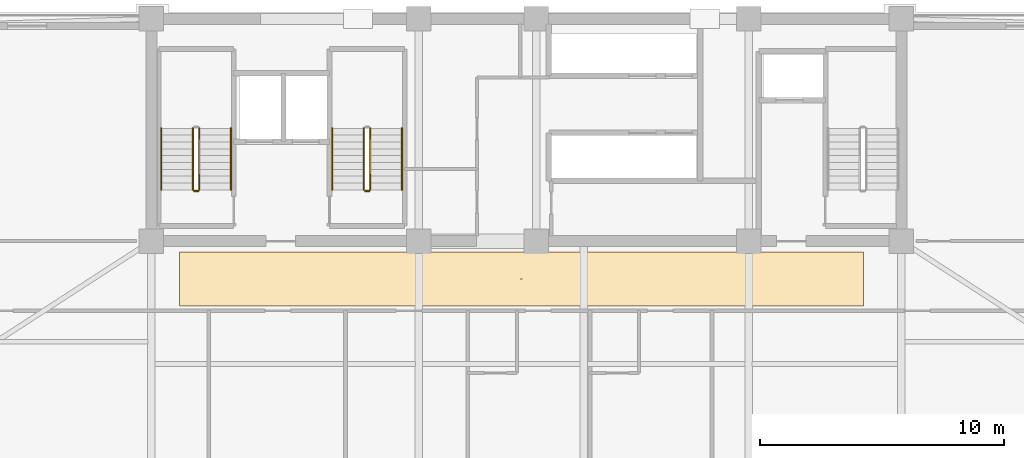
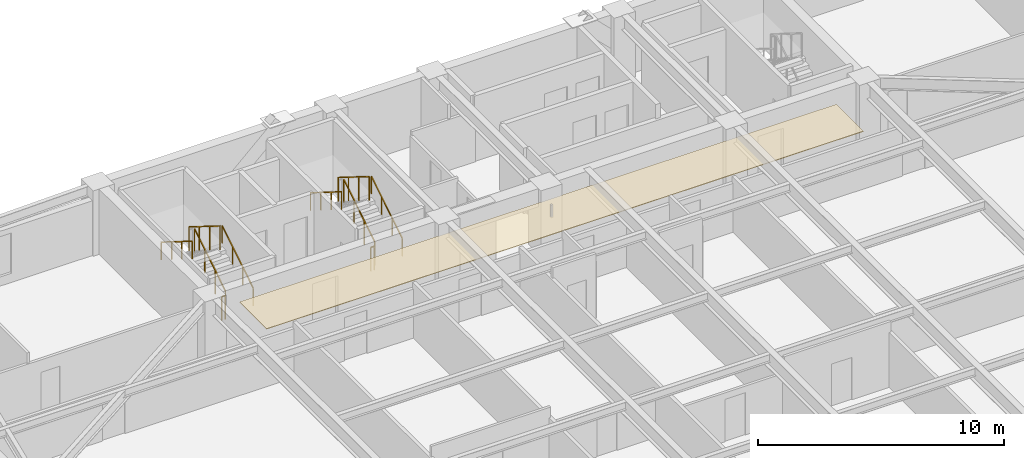
# One storey, part 14 of 17: 10 railings, 1 covering.
"""IFC4 building model written with IfcOpenShell, lengths in metres."""

from ifc_helpers import new_model, si_unit, direction, frame, origin, origin_2d, place, context, subcontext, project, spatial, polyline, rectangle, outline, extrude, material, layer, layer_set, type_object, element, save


model = new_model("IFC4")

# Units and contexts
model_context = context("Model", 3, precision=1e-05, world=origin(), true_north=direction((0.0, 1.0)))
body_context = subcontext(model_context, "Body", "Model", "MODEL_VIEW")
ifc_project = project(units=[si_unit("LENGTHUNIT", "METRE"), si_unit("AREAUNIT", "SQUARE_METRE"), si_unit("VOLUMEUNIT", "CUBIC_METRE"), si_unit("PLANEANGLEUNIT", "RADIAN"), si_unit("MASSUNIT", "GRAM", prefix="KILO")], contexts=[model_context])

# Site, building, storey
site_placement = place(None, origin())
site = spatial("IfcSite", under=ifc_project, at=site_placement, CompositionType="ELEMENT")
building_placement = place(site_placement, origin())
building = spatial("IfcBuilding", under=site, at=building_placement, Name="Giltprow Tower", CompositionType="ELEMENT")
storey_placement = place(building_placement, frame((0.0, 0.0, 216.699951171875)))
storey = spatial("IfcBuildingStorey", under=building, at=storey_placement, Name="L55", CompositionType="ELEMENT", Elevation=216.699951171875)

# Covering
ifc_material_1 = material(Name="Painted gypsum board", Category="gypsum")
ifc_layer = layer(ifc_material_1, 0.030029296875, Name="Painted gypsum board")
ifc_layer_set = layer_set([ifc_layer], Name="Painted gypsum board")
covering_type = type_object("IfcCoveringType", Name="COV-CLG-GYPSUM", PredefinedType="CEILING", material=ifc_layer_set)
covering_placement = place(storey_placement, frame((0.0, 0.0, 2.6201171875)))
element("IfcCovering", 1, at=covering_placement, inside=storey, type_object=covering_type, Name="L55 Hotel Corridor Gypsum Ceiling", PredefinedType="CEILING", context=body_context, shape_type="SweptSolid", body=[
    extrude(outline(polyline([(21.0, 34.800048828125), (49.0, 34.800048828125), (49.0, 37.0), (21.0, 37.0), (21.0, 34.800048828125)])), origin(), (0.0, 0.0, 1.0), 0.030029296875),
])

# Railings
ifc_material_2 = material(Name="Anodized bronze", Category="metal")
railing_type_1 = type_object("IfcRailingType", Name="RAIL-STAIR-GUARD-1200", PredefinedType="GUARDRAIL", material=ifc_material_2)
railing_1_placement = place(storey_placement, frame((21.81005859375, 39.550048828125, 0.175048828125)))
element("IfcRailing", 2, at=railing_1_placement, inside=storey, type_object=railing_type_1, Name="L55 ST-1 stair guard 1", PredefinedType="GUARDRAIL", context=body_context, shape_type="SweptSolid", body=[
    extrude(rectangle(XDim=0.048095703125, YDim=0.048095703125, at=origin_2d()), frame((0.0, 0.0, 1.17578125), z_axis=(0.0, 0.848007534815, 0.529984170421), x_axis=(-1.0, 0.0, 0.0)), (0.0, 0.0, 1.0), 2.9716796875),
    extrude(rectangle(XDim=0.0419921875, YDim=0.0419921875, at=origin_2d()), origin(), (0.0, 0.0, 1.0), 1.15185546875),
    extrude(rectangle(XDim=0.0419921875, YDim=0.0419921875, at=origin_2d()), frame((0.0, 0.840087890625, 0.52490234375)), (0.0, 0.0, 1.0), 1.15185546875),
    extrude(rectangle(XDim=0.0419921875, YDim=0.0419921875, at=origin_2d()), frame((0.0, 1.679931640625, 1.050048828125)), (0.0, 0.0, 1.0), 1.15185546875),
    extrude(rectangle(XDim=0.0419921875, YDim=0.0419921875, at=origin_2d()), frame((0.0, 2.52001953125, 1.574951171875)), (0.0, 0.0, 1.0), 1.15185546875),
])
railing_2_placement = place(storey_placement, frame((21.550048828125, 42.070068359375, 1.925048828125)))
element("IfcRailing", 3, at=railing_2_placement, inside=storey, type_object=railing_type_1, Name="L55 ST-1 stair guard 3", PredefinedType="GUARDRAIL", context=body_context, shape_type="SweptSolid", body=[
    extrude(rectangle(XDim=0.048095703125, YDim=0.048095703125, at=origin_2d()), frame((0.0, 0.0, 1.17578125), z_axis=(0.0, -0.848007534815, 0.529984170421), x_axis=(1.0, 0.0, 0.0)), (0.0, 0.0, 1.0), 2.9716796875),
    extrude(rectangle(XDim=0.0419921875, YDim=0.0419921875, at=origin_2d()), origin(), (0.0, 0.0, 1.0), 1.15185546875),
    extrude(rectangle(XDim=0.0419921875, YDim=0.0419921875, at=origin_2d()), frame((0.0, -0.840087890625, 0.52490234375)), (0.0, 0.0, 1.0), 1.15185546875),
    extrude(rectangle(XDim=0.0419921875, YDim=0.0419921875, at=origin_2d()), frame((0.0, -1.679931640625, 1.050048828125)), (0.0, 0.0, 1.0), 1.15185546875),
    extrude(rectangle(XDim=0.0419921875, YDim=0.0419921875, at=origin_2d()), frame((0.0, -2.52001953125, 1.574951171875)), (0.0, 0.0, 1.0), 1.15185546875),
])
railing_3_placement = place(storey_placement, frame((21.760009765625, 39.5, 0.0)))
element("IfcRailing", 4, at=railing_3_placement, inside=storey, type_object=railing_type_1, Name="L55 ST-1 stair guard 4", PredefinedType="GUARDRAIL", context=body_context, shape_type="SweptSolid", body=[
    extrude(rectangle(XDim=0.048095703125, YDim=0.048095703125, at=origin_2d()), frame((0.0, 0.0, 1.17578125), z_axis=(-1.0, 0.0, 0.0), x_axis=(0.0, -1.0, 0.0)), (0.0, 0.0, 1.0), 0.159912109375),
    extrude(rectangle(XDim=0.0419921875, YDim=0.0419921875, at=origin_2d()), origin(), (0.0, 0.0, 1.0), 1.15185546875),
    extrude(rectangle(XDim=0.0419921875, YDim=0.0419921875, at=origin_2d()), frame((-0.159912109375, 0.0, 0.0)), (0.0, 0.0, 1.0), 1.15185546875),
])
railing_4_placement = place(storey_placement, frame((28.81005859375, 39.550048828125, 0.175048828125)))
element("IfcRailing", 5, at=railing_4_placement, inside=storey, type_object=railing_type_1, Name="L55 ST-2 stair guard 1", PredefinedType="GUARDRAIL", context=body_context, shape_type="SweptSolid", body=[
    extrude(rectangle(XDim=0.048095703125, YDim=0.048095703125, at=origin_2d()), frame((0.0, 0.0, 1.17578125), z_axis=(0.0, 0.848007534815, 0.529984170421), x_axis=(-1.0, 0.0, 0.0)), (0.0, 0.0, 1.0), 2.9716796875),
    extrude(rectangle(XDim=0.0419921875, YDim=0.0419921875, at=origin_2d()), origin(), (0.0, 0.0, 1.0), 1.15185546875),
    extrude(rectangle(XDim=0.0419921875, YDim=0.0419921875, at=origin_2d()), frame((0.0, 0.840087890625, 0.52490234375)), (0.0, 0.0, 1.0), 1.15185546875),
    extrude(rectangle(XDim=0.0419921875, YDim=0.0419921875, at=origin_2d()), frame((0.0, 1.679931640625, 1.050048828125)), (0.0, 0.0, 1.0), 1.15185546875),
    extrude(rectangle(XDim=0.0419921875, YDim=0.0419921875, at=origin_2d()), frame((0.0, 2.52001953125, 1.574951171875)), (0.0, 0.0, 1.0), 1.15185546875),
])
railing_5_placement = place(storey_placement, frame((28.550048828125, 42.070068359375, 1.925048828125)))
element("IfcRailing", 6, at=railing_5_placement, inside=storey, type_object=railing_type_1, Name="L55 ST-2 stair guard 3", PredefinedType="GUARDRAIL", context=body_context, shape_type="SweptSolid", body=[
    extrude(rectangle(XDim=0.048095703125, YDim=0.048095703125, at=origin_2d()), frame((0.0, 0.0, 1.17578125), z_axis=(0.0, -0.848007534815, 0.529984170421), x_axis=(1.0, 0.0, 0.0)), (0.0, 0.0, 1.0), 2.9716796875),
    extrude(rectangle(XDim=0.0419921875, YDim=0.0419921875, at=origin_2d()), origin(), (0.0, 0.0, 1.0), 1.15185546875),
    extrude(rectangle(XDim=0.0419921875, YDim=0.0419921875, at=origin_2d()), frame((0.0, -0.840087890625, 0.52490234375)), (0.0, 0.0, 1.0), 1.15185546875),
    extrude(rectangle(XDim=0.0419921875, YDim=0.0419921875, at=origin_2d()), frame((0.0, -1.679931640625, 1.050048828125)), (0.0, 0.0, 1.0), 1.15185546875),
    extrude(rectangle(XDim=0.0419921875, YDim=0.0419921875, at=origin_2d()), frame((0.0, -2.52001953125, 1.574951171875)), (0.0, 0.0, 1.0), 1.15185546875),
])
railing_6_placement = place(storey_placement, frame((28.760009765625, 39.5, 0.0)))
element("IfcRailing", 7, at=railing_6_placement, inside=storey, type_object=railing_type_1, Name="L55 ST-2 stair guard 4", PredefinedType="GUARDRAIL", context=body_context, shape_type="SweptSolid", body=[
    extrude(rectangle(XDim=0.048095703125, YDim=0.048095703125, at=origin_2d()), frame((0.0, 0.0, 1.17578125), z_axis=(-1.0, 0.0, 0.0), x_axis=(0.0, -1.0, 0.0)), (0.0, 0.0, 1.0), 0.159912109375),
    extrude(rectangle(XDim=0.0419921875, YDim=0.0419921875, at=origin_2d()), origin(), (0.0, 0.0, 1.0), 1.15185546875),
    extrude(rectangle(XDim=0.0419921875, YDim=0.0419921875, at=origin_2d()), frame((-0.159912109375, 0.0, 0.0)), (0.0, 0.0, 1.0), 1.15185546875),
])
railing_type_2 = type_object("IfcRailingType", Name="RAIL-STAIR-HAND-900", PredefinedType="HANDRAIL", material=ifc_material_2)
railing_7_placement = place(storey_placement, frame((23.110107421875, 39.550048828125, 0.175048828125)))
element("IfcRailing", 8, at=railing_7_placement, inside=storey, type_object=railing_type_2, Name="L55 ST-1 stair handrail 1", PredefinedType="HANDRAIL", context=body_context, shape_type="SweptSolid", body=[
    extrude(rectangle(XDim=0.048095703125, YDim=0.048095703125, at=origin_2d()), frame((0.0, 0.0, 0.8759765625), z_axis=(0.0, 0.848007534815, 0.529984170421), x_axis=(-1.0, 0.0, 0.0)), (0.0, 0.0, 1.0), 2.9716796875),
    extrude(rectangle(XDim=0.0419921875, YDim=0.0419921875, at=origin_2d()), origin(), (0.0, 0.0, 1.0), 0.851806640625),
    extrude(rectangle(XDim=0.0419921875, YDim=0.0419921875, at=origin_2d()), frame((0.0, 0.840087890625, 0.52490234375)), (0.0, 0.0, 1.0), 0.851806640625),
    extrude(rectangle(XDim=0.0419921875, YDim=0.0419921875, at=origin_2d()), frame((0.0, 1.679931640625, 1.050048828125)), (0.0, 0.0, 1.0), 0.851806640625),
    extrude(rectangle(XDim=0.0419921875, YDim=0.0419921875, at=origin_2d()), frame((0.0, 2.52001953125, 1.574951171875)), (0.0, 0.0, 1.0), 0.851806640625),
])
railing_8_placement = place(storey_placement, frame((20.25, 42.070068359375, 1.925048828125)))
element("IfcRailing", 9, at=railing_8_placement, inside=storey, type_object=railing_type_2, Name="L55 ST-1 stair handrail 2", PredefinedType="HANDRAIL", context=body_context, shape_type="SweptSolid", body=[
    extrude(rectangle(XDim=0.048095703125, YDim=0.048095703125, at=origin_2d()), frame((0.0, 0.0, 0.8759765625), z_axis=(0.0, -0.848007534815, 0.529984170421), x_axis=(1.0, 0.0, 0.0)), (0.0, 0.0, 1.0), 2.9716796875),
    extrude(rectangle(XDim=0.0419921875, YDim=0.0419921875, at=origin_2d()), origin(), (0.0, 0.0, 1.0), 0.851806640625),
    extrude(rectangle(XDim=0.0419921875, YDim=0.0419921875, at=origin_2d()), frame((0.0, -0.840087890625, 0.52490234375)), (0.0, 0.0, 1.0), 0.851806640625),
    extrude(rectangle(XDim=0.0419921875, YDim=0.0419921875, at=origin_2d()), frame((0.0, -1.679931640625, 1.050048828125)), (0.0, 0.0, 1.0), 0.851806640625),
    extrude(rectangle(XDim=0.0419921875, YDim=0.0419921875, at=origin_2d()), frame((0.0, -2.52001953125, 1.574951171875)), (0.0, 0.0, 1.0), 0.851806640625),
])
railing_9_placement = place(storey_placement, frame((30.110107421875, 39.550048828125, 0.175048828125)))
element("IfcRailing", 10, at=railing_9_placement, inside=storey, type_object=railing_type_2, Name="L55 ST-2 stair handrail 1", PredefinedType="HANDRAIL", context=body_context, shape_type="SweptSolid", body=[
    extrude(rectangle(XDim=0.048095703125, YDim=0.048095703125, at=origin_2d()), frame((0.0, 0.0, 0.8759765625), z_axis=(0.0, 0.848007534815, 0.529984170421), x_axis=(-1.0, 0.0, 0.0)), (0.0, 0.0, 1.0), 2.9716796875),
    extrude(rectangle(XDim=0.0419921875, YDim=0.0419921875, at=origin_2d()), origin(), (0.0, 0.0, 1.0), 0.851806640625),
    extrude(rectangle(XDim=0.0419921875, YDim=0.0419921875, at=origin_2d()), frame((0.0, 0.840087890625, 0.52490234375)), (0.0, 0.0, 1.0), 0.851806640625),
    extrude(rectangle(XDim=0.0419921875, YDim=0.0419921875, at=origin_2d()), frame((0.0, 1.679931640625, 1.050048828125)), (0.0, 0.0, 1.0), 0.851806640625),
    extrude(rectangle(XDim=0.0419921875, YDim=0.0419921875, at=origin_2d()), frame((0.0, 2.52001953125, 1.574951171875)), (0.0, 0.0, 1.0), 0.851806640625),
])
railing_10_placement = place(storey_placement, frame((27.25, 42.070068359375, 1.925048828125)))
element("IfcRailing", 11, at=railing_10_placement, inside=storey, type_object=railing_type_2, Name="L55 ST-2 stair handrail 2", PredefinedType="HANDRAIL", context=body_context, shape_type="SweptSolid", body=[
    extrude(rectangle(XDim=0.048095703125, YDim=0.048095703125, at=origin_2d()), frame((0.0, 0.0, 0.8759765625), z_axis=(0.0, -0.848007534815, 0.529984170421), x_axis=(1.0, 0.0, 0.0)), (0.0, 0.0, 1.0), 2.9716796875),
    extrude(rectangle(XDim=0.0419921875, YDim=0.0419921875, at=origin_2d()), origin(), (0.0, 0.0, 1.0), 0.851806640625),
    extrude(rectangle(XDim=0.0419921875, YDim=0.0419921875, at=origin_2d()), frame((0.0, -0.840087890625, 0.52490234375)), (0.0, 0.0, 1.0), 0.851806640625),
    extrude(rectangle(XDim=0.0419921875, YDim=0.0419921875, at=origin_2d()), frame((0.0, -1.679931640625, 1.050048828125)), (0.0, 0.0, 1.0), 0.851806640625),
    extrude(rectangle(XDim=0.0419921875, YDim=0.0419921875, at=origin_2d()), frame((0.0, -2.52001953125, 1.574951171875)), (0.0, 0.0, 1.0), 0.851806640625),
])

save(model, "model.ifc")
